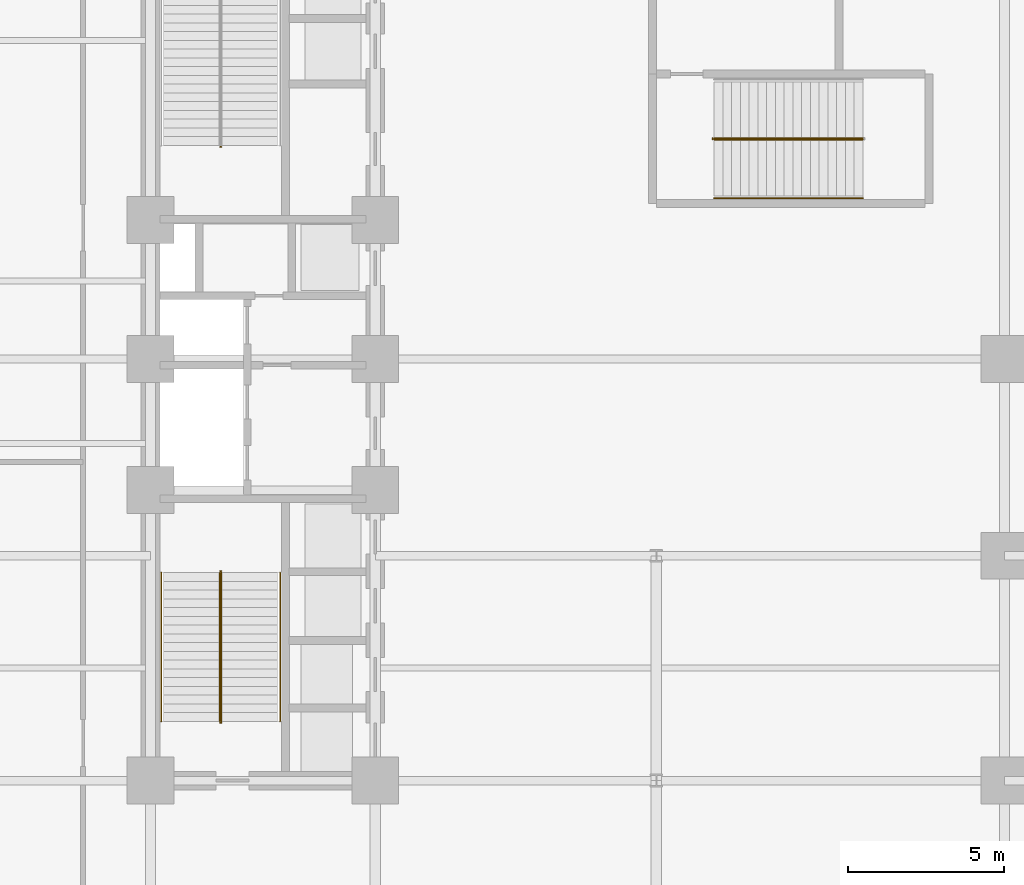
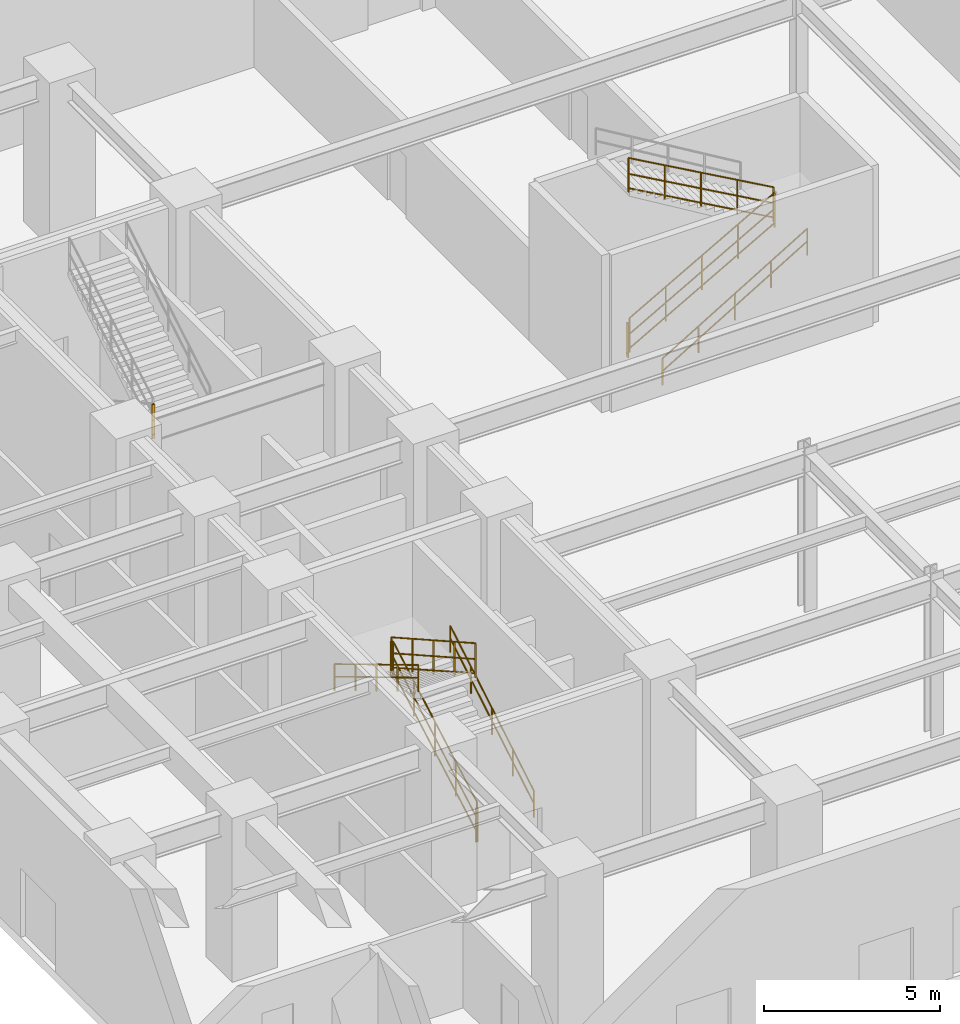
# One storey, part 14 of 18: 11 railings.
"""IFC4 building model written with IfcOpenShell, lengths in metres."""

from ifc_helpers import new_model, entity, si_unit, converted_unit, direction, frame, origin_with_axes, origin_2d_with_axis, place, context, subcontext, project, spatial, rectangle, circle, extrude, material, type_object, element, save


model = new_model("IFC4")

# Units and contexts
model_context = context("Model", 3, precision=1e-05, world=origin_with_axes(), true_north=direction((0.0, 1.0)))
body_context = subcontext(model_context, "Body", "Model", "MODEL_VIEW")
ifc_project = project(units=[si_unit("LENGTHUNIT", "METRE"), si_unit("AREAUNIT", "SQUARE_METRE"), si_unit("VOLUMEUNIT", "CUBIC_METRE"), converted_unit("PLANEANGLEUNIT", "DEGREE", entity("IfcPlaneAngleMeasure", 0.017453292519943295), si_unit("PLANEANGLEUNIT", "RADIAN"), dimensions=[0, 0, 0, 0, 0, 0, 0]), si_unit("MASSUNIT", "GRAM", prefix="KILO"), si_unit("THERMODYNAMICTEMPERATUREUNIT", "KELVIN")], contexts=[model_context])

# Site, building, storey
site_placement = place(None, origin_with_axes())
site = spatial("IfcSite", under=ifc_project, at=site_placement, CompositionType="ELEMENT")
building_placement = place(site_placement, origin_with_axes())
building = spatial("IfcBuilding", under=site, at=building_placement, Name="Varnlund Millrace Tower", CompositionType="ELEMENT")
storey_placement = place(building_placement, origin_with_axes())
storey = spatial("IfcBuildingStorey", under=building, at=storey_placement, Name="L00", CompositionType="ELEMENT", Elevation=0.0)

# Railings
ifc_material_1 = material(Name="Painted steel stair well balustrade guard", Category="steel")
railing_type_1 = type_object("IfcRailingType", Name="Type-StairGuard-1150", PredefinedType="GUARDRAIL", material=ifc_material_1)
railing_1_placement = place(storey_placement, origin_with_axes())
element("IfcRailing", 1, at=railing_1_placement, inside=storey, type_object=railing_type_1, Name="Type-StairGuard-1150", PredefinedType="GUARDRAIL", context=body_context, shape_type="SweptSolid", body=[
    extrude(circle(Radius=0.024, at=origin_2d_with_axis()), frame((13.675, 12.7, 1.317647), z_axis=(0.0, 0.871196, 0.490936), x_axis=(-1.0, 0.0, 0.0)), (0.0, 0.0, 1.0), 5.463755),
    extrude(circle(Radius=0.024, at=origin_2d_with_axis()), frame((13.675, 12.7, 0.267647), z_axis=(0.0, 0.871196, 0.490936), x_axis=(-1.0, 0.0, 0.0)), (0.0, 0.0, 1.0), 5.463755),
    extrude(circle(Radius=0.024, at=origin_2d_with_axis()), frame((13.675, 12.7, 0.765647), z_axis=(0.0, 0.871196, 0.490936), x_axis=(-1.0, 0.0, 0.0)), (0.0, 0.0, 1.0), 5.463755),
    extrude(rectangle(XDim=0.04, YDim=0.04, at=origin_2d_with_axis()), frame((13.675, 12.7, 0.127647), z_axis=(0.0, 0.0, 1.0), x_axis=(1.0, 0.0, 0.0)), (0.0, 0.0, 1.0), 1.19),
    extrude(rectangle(XDim=0.04, YDim=0.04, at=origin_2d_with_axis()), frame((13.675, 13.89, 0.798235), z_axis=(0.0, 0.0, 1.0), x_axis=(1.0, 0.0, 0.0)), (0.0, 0.0, 1.0), 1.19),
    extrude(rectangle(XDim=0.04, YDim=0.04, at=origin_2d_with_axis()), frame((13.675, 15.08, 1.468824), z_axis=(0.0, 0.0, 1.0), x_axis=(1.0, 0.0, 0.0)), (0.0, 0.0, 1.0), 1.19),
    extrude(rectangle(XDim=0.04, YDim=0.04, at=origin_2d_with_axis()), frame((13.675, 16.27, 2.139412), z_axis=(0.0, 0.0, 1.0), x_axis=(1.0, 0.0, 0.0)), (0.0, 0.0, 1.0), 1.19),
    extrude(rectangle(XDim=0.04, YDim=0.04, at=origin_2d_with_axis()), frame((13.675, 17.46, 2.81), z_axis=(0.0, 0.0, 1.0), x_axis=(1.0, 0.0, 0.0)), (0.0, 0.0, 1.0), 1.19),
])
railing_2_placement = place(storey_placement, origin_with_axes())
element("IfcRailing", 2, at=railing_2_placement, inside=storey, type_object=railing_type_1, Name="Type-StairGuard-1150", PredefinedType="GUARDRAIL", context=body_context, shape_type="SweptSolid", body=[
    extrude(circle(Radius=0.024, at=origin_2d_with_axis()), frame((13.625, 17.51, 4.0), z_axis=(1.0, 0.0, 0.0), x_axis=(0.0, 1.0, 0.0)), (0.0, 0.0, 1.0), 0.05),
    extrude(circle(Radius=0.024, at=origin_2d_with_axis()), frame((13.625, 17.51, 2.95), z_axis=(1.0, 0.0, 0.0), x_axis=(0.0, 1.0, 0.0)), (0.0, 0.0, 1.0), 0.05),
    extrude(circle(Radius=0.024, at=origin_2d_with_axis()), frame((13.625, 17.51, 3.448), z_axis=(1.0, 0.0, 0.0), x_axis=(0.0, 1.0, 0.0)), (0.0, 0.0, 1.0), 0.05),
    extrude(rectangle(XDim=0.04, YDim=0.04, at=origin_2d_with_axis()), frame((13.625, 17.51, 2.81), z_axis=(0.0, 0.0, 1.0), x_axis=(1.0, 0.0, 0.0)), (0.0, 0.0, 1.0), 1.19),
    extrude(rectangle(XDim=0.04, YDim=0.04, at=origin_2d_with_axis()), frame((13.675, 17.51, 2.81), z_axis=(0.0, 0.0, 1.0), x_axis=(1.0, 0.0, 0.0)), (0.0, 0.0, 1.0), 1.19),
])
railing_3_placement = place(storey_placement, origin_with_axes())
element("IfcRailing", 3, at=railing_3_placement, inside=storey, type_object=railing_type_1, Name="Type-StairGuard-1150", PredefinedType="GUARDRAIL", context=body_context, shape_type="SweptSolid", body=[
    extrude(circle(Radius=0.024, at=origin_2d_with_axis()), frame((13.625, 17.46, 4.167647), z_axis=(0.0, -0.871196, 0.490936), x_axis=(1.0, 0.0, 0.0)), (0.0, 0.0, 1.0), 5.463755),
    extrude(circle(Radius=0.024, at=origin_2d_with_axis()), frame((13.625, 17.46, 3.117647), z_axis=(0.0, -0.871196, 0.490936), x_axis=(1.0, 0.0, 0.0)), (0.0, 0.0, 1.0), 5.463755),
    extrude(circle(Radius=0.024, at=origin_2d_with_axis()), frame((13.625, 17.46, 3.615647), z_axis=(0.0, -0.871196, 0.490936), x_axis=(1.0, 0.0, 0.0)), (0.0, 0.0, 1.0), 5.463755),
    extrude(rectangle(XDim=0.04, YDim=0.04, at=origin_2d_with_axis()), frame((13.625, 17.46, 2.977647), z_axis=(0.0, 0.0, 1.0), x_axis=(1.0, 0.0, 0.0)), (0.0, 0.0, 1.0), 1.19),
    extrude(rectangle(XDim=0.04, YDim=0.04, at=origin_2d_with_axis()), frame((13.625, 16.27, 3.648235), z_axis=(0.0, 0.0, 1.0), x_axis=(1.0, 0.0, 0.0)), (0.0, 0.0, 1.0), 1.19),
    extrude(rectangle(XDim=0.04, YDim=0.04, at=origin_2d_with_axis()), frame((13.625, 15.08, 4.318824), z_axis=(0.0, 0.0, 1.0), x_axis=(1.0, 0.0, 0.0)), (0.0, 0.0, 1.0), 1.19),
    extrude(rectangle(XDim=0.04, YDim=0.04, at=origin_2d_with_axis()), frame((13.625, 13.89, 4.989412), z_axis=(0.0, 0.0, 1.0), x_axis=(1.0, 0.0, 0.0)), (0.0, 0.0, 1.0), 1.19),
    extrude(rectangle(XDim=0.04, YDim=0.04, at=origin_2d_with_axis()), frame((13.625, 12.7, 5.66), z_axis=(0.0, 0.0, 1.0), x_axis=(1.0, 0.0, 0.0)), (0.0, 0.0, 1.0), 1.19),
])
railing_4_placement = place(storey_placement, origin_with_axes())
element("IfcRailing", 4, at=railing_4_placement, inside=storey, type_object=railing_type_1, Name="Type-StairGuard-1150", PredefinedType="GUARDRAIL", context=body_context, shape_type="SweptSolid", body=[
    extrude(circle(Radius=0.024, at=origin_2d_with_axis()), frame((13.625, 12.65, 1.15), z_axis=(1.0, 0.0, 0.0), x_axis=(0.0, 1.0, 0.0)), (0.0, 0.0, 1.0), 0.05),
    extrude(circle(Radius=0.024, at=origin_2d_with_axis()), frame((13.625, 12.65, 0.1), z_axis=(1.0, 0.0, 0.0), x_axis=(0.0, 1.0, 0.0)), (0.0, 0.0, 1.0), 0.05),
    extrude(circle(Radius=0.024, at=origin_2d_with_axis()), frame((13.625, 12.65, 0.598), z_axis=(1.0, 0.0, 0.0), x_axis=(0.0, 1.0, 0.0)), (0.0, 0.0, 1.0), 0.05),
    extrude(rectangle(XDim=0.04, YDim=0.04, at=origin_2d_with_axis()), frame((13.625, 12.65, -0.04), z_axis=(0.0, 0.0, 1.0), x_axis=(1.0, 0.0, 0.0)), (0.0, 0.0, 1.0), 1.19),
    extrude(rectangle(XDim=0.04, YDim=0.04, at=origin_2d_with_axis()), frame((13.675, 12.65, -0.04), z_axis=(0.0, 0.0, 1.0), x_axis=(1.0, 0.0, 0.0)), (0.0, 0.0, 1.0), 1.19),
])
railing_5_placement = place(storey_placement, origin_with_axes())
element("IfcRailing", 5, at=railing_5_placement, inside=storey, type_object=railing_type_1, Name="Type-StairGuard-1150", PredefinedType="GUARDRAIL", context=body_context, shape_type="SweptSolid", body=[
    extrude(circle(Radius=0.024, at=origin_2d_with_axis()), frame((13.675, 31.09, 4.0), z_axis=(-1.0, 0.0, 0.0), x_axis=(0.0, -1.0, 0.0)), (0.0, 0.0, 1.0), 0.05),
    extrude(circle(Radius=0.024, at=origin_2d_with_axis()), frame((13.675, 31.09, 2.95), z_axis=(-1.0, 0.0, 0.0), x_axis=(0.0, -1.0, 0.0)), (0.0, 0.0, 1.0), 0.05),
    extrude(circle(Radius=0.024, at=origin_2d_with_axis()), frame((13.675, 31.09, 3.448), z_axis=(-1.0, 0.0, 0.0), x_axis=(0.0, -1.0, 0.0)), (0.0, 0.0, 1.0), 0.05),
    extrude(rectangle(XDim=0.04, YDim=0.04, at=origin_2d_with_axis()), frame((13.675, 31.09, 2.81), z_axis=(0.0, 0.0, 1.0), x_axis=(1.0, 0.0, 0.0)), (0.0, 0.0, 1.0), 1.19),
    extrude(rectangle(XDim=0.04, YDim=0.04, at=origin_2d_with_axis()), frame((13.625, 31.09, 2.81), z_axis=(0.0, 0.0, 1.0), x_axis=(1.0, 0.0, 0.0)), (0.0, 0.0, 1.0), 1.19),
])
railing_6_placement = place(storey_placement, origin_with_axes())
element("IfcRailing", 6, at=railing_6_placement, inside=storey, type_object=railing_type_1, Name="Type-StairGuard-1150", PredefinedType="GUARDRAIL", context=body_context, shape_type="SweptSolid", body=[
    extrude(circle(Radius=0.024, at=origin_2d_with_axis()), frame((29.45, 31.325, 1.317647), z_axis=(0.871196, 0.0, 0.490936), x_axis=(0.0, 1.0, 0.0)), (0.0, 0.0, 1.0), 5.463755),
    extrude(circle(Radius=0.024, at=origin_2d_with_axis()), frame((29.45, 31.325, 0.267647), z_axis=(0.871196, 0.0, 0.490936), x_axis=(0.0, 1.0, 0.0)), (0.0, 0.0, 1.0), 5.463755),
    extrude(circle(Radius=0.024, at=origin_2d_with_axis()), frame((29.45, 31.325, 0.765647), z_axis=(0.871196, 0.0, 0.490936), x_axis=(0.0, 1.0, 0.0)), (0.0, 0.0, 1.0), 5.463755),
    extrude(rectangle(XDim=0.04, YDim=0.04, at=origin_2d_with_axis()), frame((29.45, 31.325, 0.127647), z_axis=(0.0, 0.0, 1.0), x_axis=(1.0, 0.0, 0.0)), (0.0, 0.0, 1.0), 1.19),
    extrude(rectangle(XDim=0.04, YDim=0.04, at=origin_2d_with_axis()), frame((30.64, 31.325, 0.798235), z_axis=(0.0, 0.0, 1.0), x_axis=(1.0, 0.0, 0.0)), (0.0, 0.0, 1.0), 1.19),
    extrude(rectangle(XDim=0.04, YDim=0.04, at=origin_2d_with_axis()), frame((31.83, 31.325, 1.468824), z_axis=(0.0, 0.0, 1.0), x_axis=(1.0, 0.0, 0.0)), (0.0, 0.0, 1.0), 1.19),
    extrude(rectangle(XDim=0.04, YDim=0.04, at=origin_2d_with_axis()), frame((33.02, 31.325, 2.139412), z_axis=(0.0, 0.0, 1.0), x_axis=(1.0, 0.0, 0.0)), (0.0, 0.0, 1.0), 1.19),
    extrude(rectangle(XDim=0.04, YDim=0.04, at=origin_2d_with_axis()), frame((34.21, 31.325, 2.81), z_axis=(0.0, 0.0, 1.0), x_axis=(1.0, 0.0, 0.0)), (0.0, 0.0, 1.0), 1.19),
])
railing_7_placement = place(storey_placement, origin_with_axes())
element("IfcRailing", 7, at=railing_7_placement, inside=storey, type_object=railing_type_1, Name="Type-StairGuard-1150", PredefinedType="GUARDRAIL", context=body_context, shape_type="SweptSolid", body=[
    extrude(circle(Radius=0.024, at=origin_2d_with_axis()), frame((34.21, 31.375, 4.167647), z_axis=(-0.871196, 0.0, 0.490936), x_axis=(0.0, -1.0, 0.0)), (0.0, 0.0, 1.0), 5.463755),
    extrude(circle(Radius=0.024, at=origin_2d_with_axis()), frame((34.21, 31.375, 3.117647), z_axis=(-0.871196, 0.0, 0.490936), x_axis=(0.0, -1.0, 0.0)), (0.0, 0.0, 1.0), 5.463755),
    extrude(circle(Radius=0.024, at=origin_2d_with_axis()), frame((34.21, 31.375, 3.615647), z_axis=(-0.871196, 0.0, 0.490936), x_axis=(0.0, -1.0, 0.0)), (0.0, 0.0, 1.0), 5.463755),
    extrude(rectangle(XDim=0.04, YDim=0.04, at=origin_2d_with_axis()), frame((34.21, 31.375, 2.977647), z_axis=(0.0, 0.0, 1.0), x_axis=(1.0, 0.0, 0.0)), (0.0, 0.0, 1.0), 1.19),
    extrude(rectangle(XDim=0.04, YDim=0.04, at=origin_2d_with_axis()), frame((33.02, 31.375, 3.648235), z_axis=(0.0, 0.0, 1.0), x_axis=(1.0, 0.0, 0.0)), (0.0, 0.0, 1.0), 1.19),
    extrude(rectangle(XDim=0.04, YDim=0.04, at=origin_2d_with_axis()), frame((31.83, 31.375, 4.318824), z_axis=(0.0, 0.0, 1.0), x_axis=(1.0, 0.0, 0.0)), (0.0, 0.0, 1.0), 1.19),
    extrude(rectangle(XDim=0.04, YDim=0.04, at=origin_2d_with_axis()), frame((30.64, 31.375, 4.989412), z_axis=(0.0, 0.0, 1.0), x_axis=(1.0, 0.0, 0.0)), (0.0, 0.0, 1.0), 1.19),
    extrude(rectangle(XDim=0.04, YDim=0.04, at=origin_2d_with_axis()), frame((29.45, 31.375, 5.66), z_axis=(0.0, 0.0, 1.0), x_axis=(1.0, 0.0, 0.0)), (0.0, 0.0, 1.0), 1.19),
])
railing_8_placement = place(storey_placement, origin_with_axes())
element("IfcRailing", 8, at=railing_8_placement, inside=storey, type_object=railing_type_1, Name="Type-StairGuard-1150", PredefinedType="GUARDRAIL", context=body_context, shape_type="SweptSolid", body=[
    extrude(circle(Radius=0.024, at=origin_2d_with_axis()), frame((29.4, 31.375, 1.15), z_axis=(0.0, -1.0, 0.0), x_axis=(1.0, 0.0, 0.0)), (0.0, 0.0, 1.0), 0.05),
    extrude(circle(Radius=0.024, at=origin_2d_with_axis()), frame((29.4, 31.375, 0.1), z_axis=(0.0, -1.0, 0.0), x_axis=(1.0, 0.0, 0.0)), (0.0, 0.0, 1.0), 0.05),
    extrude(circle(Radius=0.024, at=origin_2d_with_axis()), frame((29.4, 31.375, 0.598), z_axis=(0.0, -1.0, 0.0), x_axis=(1.0, 0.0, 0.0)), (0.0, 0.0, 1.0), 0.05),
    extrude(rectangle(XDim=0.04, YDim=0.04, at=origin_2d_with_axis()), frame((29.4, 31.375, -0.04), z_axis=(0.0, 0.0, 1.0), x_axis=(1.0, 0.0, 0.0)), (0.0, 0.0, 1.0), 1.19),
    extrude(rectangle(XDim=0.04, YDim=0.04, at=origin_2d_with_axis()), frame((29.4, 31.325, -0.04), z_axis=(0.0, 0.0, 1.0), x_axis=(1.0, 0.0, 0.0)), (0.0, 0.0, 1.0), 1.19),
])
ifc_material_2 = material(Name="Brushed architectural bronze stair handrail", Category="aluminium")
railing_type_2 = type_object("IfcRailingType", Name="Type-StairHandrail-900", PredefinedType="HANDRAIL", material=ifc_material_2)
railing_9_placement = place(storey_placement, origin_with_axes())
element("IfcRailing", 9, at=railing_9_placement, inside=storey, type_object=railing_type_2, Name="Type-StairHandrail-900", PredefinedType="HANDRAIL", context=body_context, shape_type="SweptSolid", body=[
    extrude(circle(Radius=0.024, at=origin_2d_with_axis()), frame((15.55, 12.7, 1.047056), z_axis=(0.0, 0.85797, 0.5137), x_axis=(-1.0, 0.0, 0.0)), (0.0, 0.0, 1.0), 5.547982),
    extrude(circle(Radius=0.024, at=origin_2d_with_axis()), frame((15.55, 12.7, 0.607351), z_axis=(0.0, 0.85797, 0.5137), x_axis=(-1.0, 0.0, 0.0)), (0.0, 0.0, 1.0), 5.547982),
    extrude(rectangle(XDim=0.04, YDim=0.04, at=origin_2d_with_axis()), frame((15.55, 12.7, 0.127647), z_axis=(0.0, 0.0, 1.0), x_axis=(1.0, 0.0, 0.0)), (0.0, 0.0, 1.0), 0.919409),
    extrude(rectangle(XDim=0.04, YDim=0.04, at=origin_2d_with_axis()), frame((15.55, 13.89, 0.840147), z_axis=(0.0, 0.0, 1.0), x_axis=(1.0, 0.0, 0.0)), (0.0, 0.0, 1.0), 0.919409),
    extrude(rectangle(XDim=0.04, YDim=0.04, at=origin_2d_with_axis()), frame((15.55, 15.08, 1.552647), z_axis=(0.0, 0.0, 1.0), x_axis=(1.0, 0.0, 0.0)), (0.0, 0.0, 1.0), 0.919409),
    extrude(rectangle(XDim=0.04, YDim=0.04, at=origin_2d_with_axis()), frame((15.55, 16.27, 2.265147), z_axis=(0.0, 0.0, 1.0), x_axis=(1.0, 0.0, 0.0)), (0.0, 0.0, 1.0), 0.919409),
    extrude(rectangle(XDim=0.04, YDim=0.04, at=origin_2d_with_axis()), frame((15.55, 17.46, 2.977647), z_axis=(0.0, 0.0, 1.0), x_axis=(1.0, 0.0, 0.0)), (0.0, 0.0, 1.0), 0.919409),
])
railing_10_placement = place(storey_placement, origin_with_axes())
element("IfcRailing", 10, at=railing_10_placement, inside=storey, type_object=railing_type_2, Name="Type-StairHandrail-900", PredefinedType="HANDRAIL", context=body_context, shape_type="SweptSolid", body=[
    extrude(circle(Radius=0.024, at=origin_2d_with_axis()), frame((11.75, 17.46, 3.897056), z_axis=(0.0, -0.85797, 0.5137), x_axis=(1.0, 0.0, 0.0)), (0.0, 0.0, 1.0), 5.547982),
    extrude(circle(Radius=0.024, at=origin_2d_with_axis()), frame((11.75, 17.46, 3.457351), z_axis=(0.0, -0.85797, 0.5137), x_axis=(1.0, 0.0, 0.0)), (0.0, 0.0, 1.0), 5.547982),
    extrude(rectangle(XDim=0.04, YDim=0.04, at=origin_2d_with_axis()), frame((11.75, 17.46, 2.977647), z_axis=(0.0, 0.0, 1.0), x_axis=(1.0, 0.0, 0.0)), (0.0, 0.0, 1.0), 0.919409),
    extrude(rectangle(XDim=0.04, YDim=0.04, at=origin_2d_with_axis()), frame((11.75, 16.27, 3.690147), z_axis=(0.0, 0.0, 1.0), x_axis=(1.0, 0.0, 0.0)), (0.0, 0.0, 1.0), 0.919409),
    extrude(rectangle(XDim=0.04, YDim=0.04, at=origin_2d_with_axis()), frame((11.75, 15.08, 4.402647), z_axis=(0.0, 0.0, 1.0), x_axis=(1.0, 0.0, 0.0)), (0.0, 0.0, 1.0), 0.919409),
    extrude(rectangle(XDim=0.04, YDim=0.04, at=origin_2d_with_axis()), frame((11.75, 13.89, 5.115147), z_axis=(0.0, 0.0, 1.0), x_axis=(1.0, 0.0, 0.0)), (0.0, 0.0, 1.0), 0.919409),
    extrude(rectangle(XDim=0.04, YDim=0.04, at=origin_2d_with_axis()), frame((11.75, 12.7, 5.827647), z_axis=(0.0, 0.0, 1.0), x_axis=(1.0, 0.0, 0.0)), (0.0, 0.0, 1.0), 0.919409),
])
railing_11_placement = place(storey_placement, origin_with_axes())
element("IfcRailing", 11, at=railing_11_placement, inside=storey, type_object=railing_type_2, Name="Type-StairHandrail-900", PredefinedType="HANDRAIL", context=body_context, shape_type="SweptSolid", body=[
    extrude(circle(Radius=0.024, at=origin_2d_with_axis()), frame((29.45, 29.45, 1.047056), z_axis=(0.85797, 0.0, 0.5137), x_axis=(0.0, 1.0, 0.0)), (0.0, 0.0, 1.0), 5.547982),
    extrude(circle(Radius=0.024, at=origin_2d_with_axis()), frame((29.45, 29.45, 0.607351), z_axis=(0.85797, 0.0, 0.5137), x_axis=(0.0, 1.0, 0.0)), (0.0, 0.0, 1.0), 5.547982),
    extrude(rectangle(XDim=0.04, YDim=0.04, at=origin_2d_with_axis()), frame((29.45, 29.45, 0.127647), z_axis=(0.0, 0.0, 1.0), x_axis=(1.0, 0.0, 0.0)), (0.0, 0.0, 1.0), 0.919409),
    extrude(rectangle(XDim=0.04, YDim=0.04, at=origin_2d_with_axis()), frame((30.64, 29.45, 0.840147), z_axis=(0.0, 0.0, 1.0), x_axis=(1.0, 0.0, 0.0)), (0.0, 0.0, 1.0), 0.919409),
    extrude(rectangle(XDim=0.04, YDim=0.04, at=origin_2d_with_axis()), frame((31.83, 29.45, 1.552647), z_axis=(0.0, 0.0, 1.0), x_axis=(1.0, 0.0, 0.0)), (0.0, 0.0, 1.0), 0.919409),
    extrude(rectangle(XDim=0.04, YDim=0.04, at=origin_2d_with_axis()), frame((33.02, 29.45, 2.265147), z_axis=(0.0, 0.0, 1.0), x_axis=(1.0, 0.0, 0.0)), (0.0, 0.0, 1.0), 0.919409),
    extrude(rectangle(XDim=0.04, YDim=0.04, at=origin_2d_with_axis()), frame((34.21, 29.45, 2.977647), z_axis=(0.0, 0.0, 1.0), x_axis=(1.0, 0.0, 0.0)), (0.0, 0.0, 1.0), 0.919409),
])

save(model, "model.ifc")
